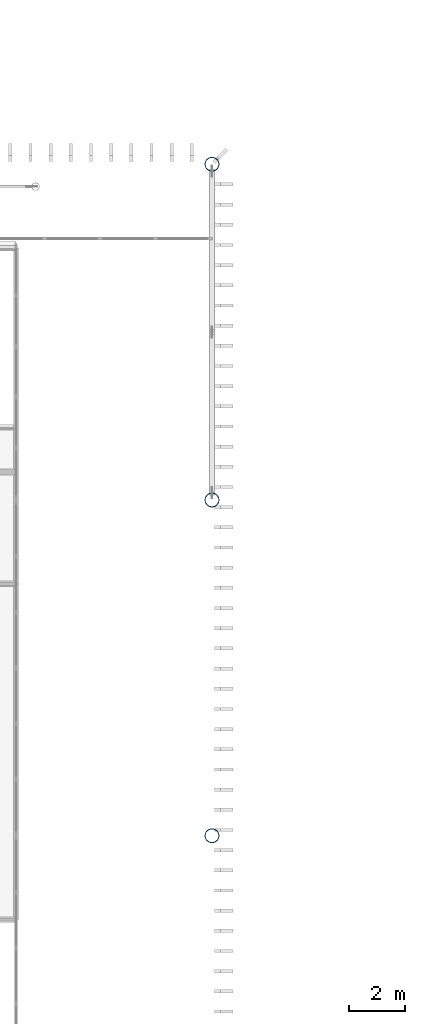
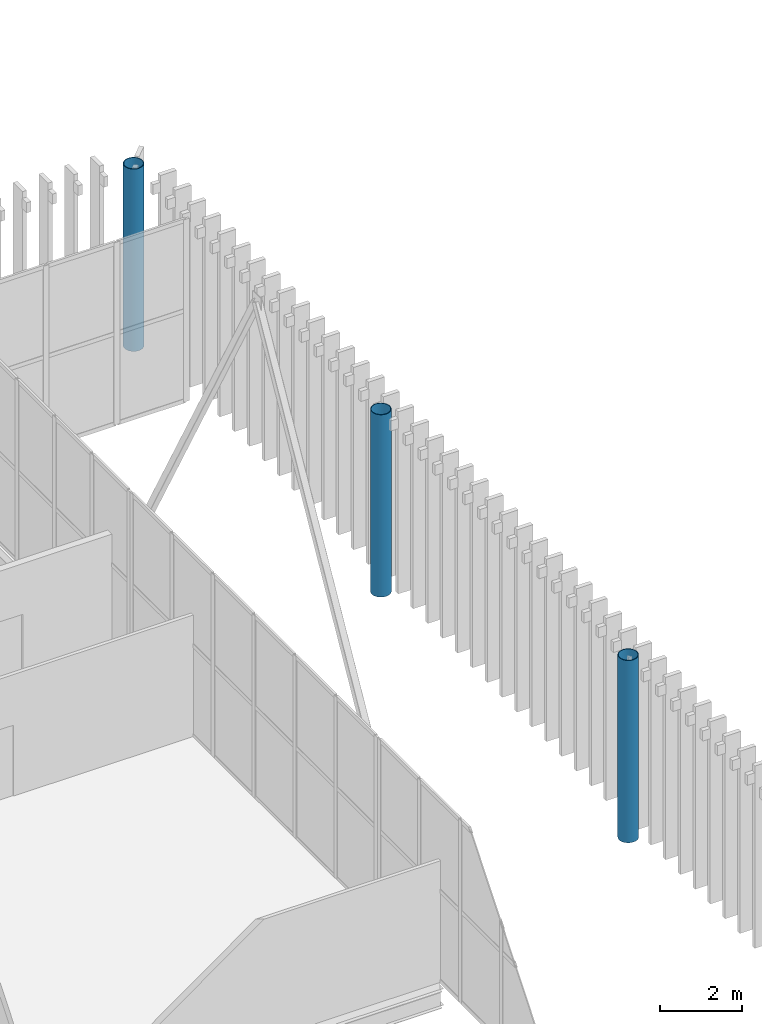
# One storey, part 23 of 170: 3 columns.
"""IFC4 building model written with IfcOpenShell, lengths in metres."""

from ifc_helpers import new_model, si_unit, direction, frame, origin, origin_2d, place, context, subcontext, project, spatial, hollow_circle, extrude, material, material_profile, profile_set, type_object, element, save


model = new_model("IFC4")

# Units and contexts
model_context = context("Model", 3, precision=1e-05, world=origin(), true_north=direction((0.0, 1.0)))
body_context = subcontext(model_context, "Body", "Model", "MODEL_VIEW")
ifc_project = project(units=[si_unit("LENGTHUNIT", "METRE"), si_unit("AREAUNIT", "SQUARE_METRE"), si_unit("VOLUMEUNIT", "CUBIC_METRE"), si_unit("PLANEANGLEUNIT", "RADIAN"), si_unit("MASSUNIT", "GRAM", prefix="KILO")], contexts=[model_context])

# Site, building, storey
site_placement = place(None, origin())
site = spatial("IfcSite", under=ifc_project, at=site_placement, CompositionType="ELEMENT")
building_placement = place(site_placement, origin())
building = spatial("IfcBuilding", under=site, at=building_placement, Name="Ravi Spectrum Wholesale Market", CompositionType="ELEMENT")
storey_placement = place(building_placement, frame((0.0, 0.0, 5.39990234375)))
storey = spatial("IfcBuildingStorey", under=building, at=storey_placement, Name="L01", CompositionType="ELEMENT", Elevation=5.39990234375)

# Columns
ifc_material = material(Name="Steel S355", Category="steel")
ifc_material_profile = material_profile(ifc_material, hollow_circle(Radius=0.25390625, WallThickness=0.01611328125, at=origin_2d()))
ifc_profile_set = profile_set([ifc_material_profile], Name="Steel S355")
column_type = type_object("IfcColumnType", Name="CHS 508x16 column", PredefinedType="COLUMN", material=ifc_profile_set)
for number, where, z_axis, x_axis, name in (
    (1, (110.0, 174.0, 0.0), (0.0, 0.0, 1.0), (1.0, 0.0, 0.0), "H1-COL-L01-028"),
    (2, (110.0, 186.0, 0.0), (0.0, 0.0, 1.0), (1.0, 0.0, 0.0), "H1-COL-L01-029"),
    (3, (110.0, 198.0, 0.0), (0.0, 0.0, 1.0), (1.0, 0.0, 0.0), "H1-COL-L01-030"),
):
    element("IfcColumn", number, at=place(storey_placement, frame(where, z_axis=z_axis, x_axis=x_axis)), inside=storey, type_object=column_type, Name=name, PredefinedType="COLUMN", context=body_context, shape_type="SweptSolid", body=[
        extrude(hollow_circle(Radius=0.25390625, WallThickness=0.01611328125, at=origin_2d()), origin(), (0.0, 0.0, 1.0), 5.400146484375),
    ])

save(model, "model.ifc")
